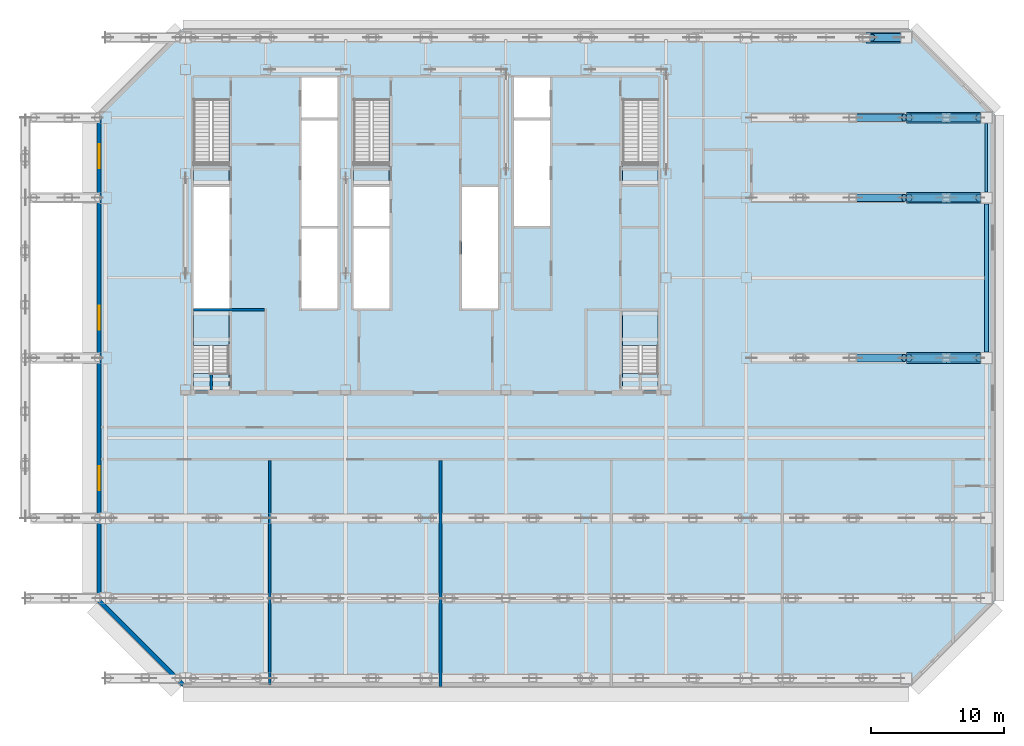
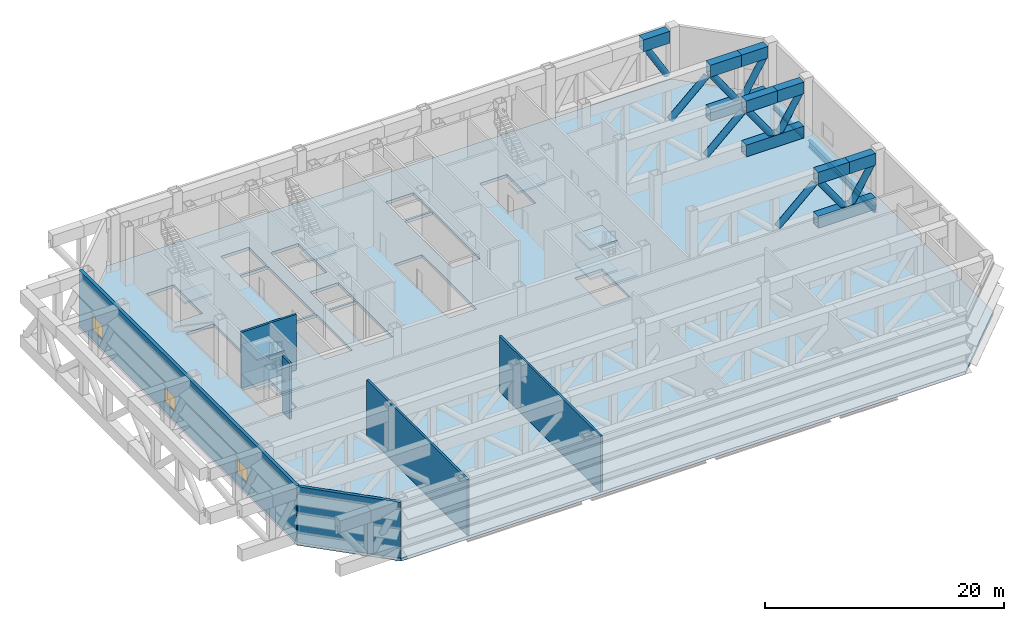
# One storey, part 5 of 17: 12 beams, 10 members, 10 slabs, 6 walls, 3 windows, 3 openings, 5 elements without a shape of their own.
"""IFC4 building model written with IfcOpenShell, lengths in metres."""

from ifc_helpers import new_model, si_unit, direction, frame, frame_2d, origin, origin_2d, place, context, subcontext, project, spatial, polyline, rectangle, hollow_rectangle, hollow_circle, i_section, outline, extrude, material, layer, layer_set, material_profile, profile_set, type_object, element, fill, aggregate, save


model = new_model("IFC4")

# Units and contexts
model_context = context("Model", 3, precision=1e-05, world=origin(), true_north=direction((0.0, 1.0)))
body_context = subcontext(model_context, "Body", "Model", "MODEL_VIEW")
ifc_project = project(units=[si_unit("LENGTHUNIT", "METRE"), si_unit("AREAUNIT", "SQUARE_METRE"), si_unit("VOLUMEUNIT", "CUBIC_METRE"), si_unit("PLANEANGLEUNIT", "RADIAN"), si_unit("MASSUNIT", "GRAM", prefix="KILO")], contexts=[model_context])

# Site, building, storey
site_placement = place(None, origin())
site = spatial("IfcSite", under=ifc_project, at=site_placement, CompositionType="ELEMENT")
building_placement = place(site_placement, origin())
building = spatial("IfcBuilding", under=site, at=building_placement, Name="Sorahane Residences", CompositionType="ELEMENT")
storey_placement = place(building_placement, frame((0.0, 0.0, 90.199951171875)))
storey = spatial("IfcBuildingStorey", under=building, at=storey_placement, Name="L19", CompositionType="ELEMENT", Elevation=90.199951171875)

# Beams
ifc_material_1 = material(Name="Steel Q355B", Category="steel")
ifc_material_profile_1 = material_profile(ifc_material_1, i_section(OverallWidth=0.199951171875, OverallDepth=0.449951171875, WebThickness=0.009033203125, FlangeThickness=0.013916015625, FilletRadius=0.02001953125, at=origin_2d()), Name="HN 450x200x9x14")
ifc_profile_set_1 = profile_set([ifc_material_profile_1], Name="Steel Q355B")
beam_type_1 = type_object("IfcBeamType", Name="Steel floor beam HN 450x200x9x14 Q355B", PredefinedType="BEAM", material=ifc_profile_set_1)
beam_1_placement = place(storey_placement, frame((66.0, 36.449951171875, -0.52490234375), z_axis=(0.0, 1.0, 0.0), x_axis=(-1.0, 0.0, 0.0)))
element("IfcBeam", 1, at=beam_1_placement, inside=storey, type_object=beam_type_1, Name="Beam L19 060", PredefinedType="BEAM", context=body_context, shape_type="SweptSolid", body=[
    extrude(i_section(OverallWidth=0.199951171875, OverallDepth=0.449951171875, WebThickness=0.009033203125, FlangeThickness=0.013916015625, FilletRadius=0.02001953125, at=origin_2d()), origin(), (0.0, 0.0, 1.0), 5.10009765625),
])
ifc_material_2 = material(Name="Steel Q355B", Category="steel")
ifc_material_profile_2 = material_profile(ifc_material_2, i_section(OverallWidth=0.300048828125, OverallDepth=0.699951171875, WebThickness=0.012939453125, FlangeThickness=0.02392578125, FilletRadius=0.028076171875, at=origin_2d()), Name="HN 700x300x13x24")
ifc_profile_set_2 = profile_set([ifc_material_profile_2], Name="Steel Q355B")
beam_type_2 = type_object("IfcBeamType", Name="Steel floor beam HN 700x300x13x24 Q355B", PredefinedType="BEAM", material=ifc_profile_set_2)
beam_2_placement = place(storey_placement, frame((66.0, 24.449951171875, -0.64990234375), z_axis=(0.0, 1.0, 0.0), x_axis=(-1.0, 0.0, 0.0)))
element("IfcBeam", 2, at=beam_2_placement, inside=storey, type_object=beam_type_2, Name="Beam L19 059", PredefinedType="BEAM", context=body_context, shape_type="SweptSolid", body=[
    extrude(i_section(OverallWidth=0.300048828125, OverallDepth=0.699951171875, WebThickness=0.012939453125, FlangeThickness=0.02392578125, FilletRadius=0.028076171875, at=origin_2d()), origin(), (0.0, 0.0, 1.0), 11.10009765625),
])
ifc_material_3 = material(Name="Steel Q420GJ", Category="steel")
ifc_material_profile_3 = material_profile(ifc_material_3, hollow_rectangle(XDim=0.800048828125, YDim=1.199951171875, WallThickness=0.06005859375, at=origin_2d()), Name="BOX 1200x800x60")
ifc_profile_set_3 = profile_set([ifc_material_profile_3], Name="Steel Q420GJ")
beam_type_3 = type_object("IfcBeamType", Name="Truss chord BOX 1200x800x60 Q420GJ", PredefinedType="BEAM", material=ifc_profile_set_3)
beam_3_placement = place(storey_placement, frame((60.0, 24.0, 0.60009765625), z_axis=(1.0, 0.0, 0.0), x_axis=(0.0, 1.0, 0.0)))
element("IfcBeam", 3, at=beam_3_placement, inside=storey, type_object=beam_type_3, Name="Truss chord L19", PredefinedType="BEAM", context=body_context, shape_type="SweptSolid", body=[
    extrude(hollow_rectangle(XDim=0.800048828125, YDim=1.199951171875, WallThickness=0.06005859375, at=origin_2d()), origin(), (0.0, 0.0, 1.0), 5.550048828125),
])
beam_4_placement = place(storey_placement, frame((60.0, 24.0, 5.10009765625), z_axis=(1.0, 0.0, 0.0), x_axis=(0.0, 1.0, 0.0)))
element("IfcBeam", 4, at=beam_4_placement, inside=storey, type_object=beam_type_3, Name="Truss chord L19", PredefinedType="BEAM", context=body_context, shape_type="SweptSolid", body=[
    extrude(hollow_rectangle(XDim=0.800048828125, YDim=1.199951171875, WallThickness=0.06005859375, at=origin_2d()), origin(), (0.0, 0.0, 1.0), 3.0),
])
beam_5_placement = place(storey_placement, frame((63.0, 24.0, 5.10009765625), z_axis=(1.0, 0.0, 0.0), x_axis=(0.0, 1.0, 0.0)))
element("IfcBeam", 5, at=beam_5_placement, inside=storey, type_object=beam_type_3, Name="Truss chord L19", PredefinedType="BEAM", context=body_context, shape_type="SweptSolid", body=[
    extrude(hollow_rectangle(XDim=0.800048828125, YDim=1.199951171875, WallThickness=0.06005859375, at=origin_2d()), origin(), (0.0, 0.0, 1.0), 2.550048828125),
])
beam_6_placement = place(storey_placement, frame((60.0, 36.0, 0.60009765625), z_axis=(1.0, 0.0, 0.0), x_axis=(0.0, 1.0, 0.0)))
element("IfcBeam", 6, at=beam_6_placement, inside=storey, type_object=beam_type_3, Name="Truss chord L19", PredefinedType="BEAM", context=body_context, shape_type="SweptSolid", body=[
    extrude(hollow_rectangle(XDim=0.800048828125, YDim=1.199951171875, WallThickness=0.06005859375, at=origin_2d()), origin(), (0.0, 0.0, 1.0), 5.550048828125),
])
beam_7_placement = place(storey_placement, frame((60.0, 36.0, 5.10009765625), z_axis=(1.0, 0.0, 0.0), x_axis=(0.0, 1.0, 0.0)))
element("IfcBeam", 7, at=beam_7_placement, inside=storey, type_object=beam_type_3, Name="Truss chord L19", PredefinedType="BEAM", context=body_context, shape_type="SweptSolid", body=[
    extrude(hollow_rectangle(XDim=0.800048828125, YDim=1.199951171875, WallThickness=0.06005859375, at=origin_2d()), origin(), (0.0, 0.0, 1.0), 3.0),
])
beam_8_placement = place(storey_placement, frame((63.0, 36.0, 5.10009765625), z_axis=(1.0, 0.0, 0.0), x_axis=(0.0, 1.0, 0.0)))
element("IfcBeam", 8, at=beam_8_placement, inside=storey, type_object=beam_type_3, Name="Truss chord L19", PredefinedType="BEAM", context=body_context, shape_type="SweptSolid", body=[
    extrude(hollow_rectangle(XDim=0.800048828125, YDim=1.199951171875, WallThickness=0.06005859375, at=origin_2d()), origin(), (0.0, 0.0, 1.0), 2.550048828125),
])
beam_9_placement = place(storey_placement, frame((60.0, 42.0, 0.60009765625), z_axis=(1.0, 0.0, 0.0), x_axis=(0.0, 1.0, 0.0)))
element("IfcBeam", 9, at=beam_9_placement, inside=storey, type_object=beam_type_3, Name="Truss chord L19", PredefinedType="BEAM", context=body_context, shape_type="SweptSolid", body=[
    extrude(hollow_rectangle(XDim=0.800048828125, YDim=1.199951171875, WallThickness=0.06005859375, at=origin_2d()), origin(), (0.0, 0.0, 1.0), 5.550048828125),
])
beam_10_placement = place(storey_placement, frame((60.0, 42.0, 5.10009765625), z_axis=(1.0, 0.0, 0.0), x_axis=(0.0, 1.0, 0.0)))
element("IfcBeam", 10, at=beam_10_placement, inside=storey, type_object=beam_type_3, Name="Truss chord L19", PredefinedType="BEAM", context=body_context, shape_type="SweptSolid", body=[
    extrude(hollow_rectangle(XDim=0.800048828125, YDim=1.199951171875, WallThickness=0.06005859375, at=origin_2d()), origin(), (0.0, 0.0, 1.0), 3.0),
])
for number, where, z_axis, x_axis, name in (
    (11, (63.0, 42.0, 5.10009765625), (1.0, 0.0, 0.0), (0.0, 1.0, 0.0), "Truss chord L19"),
    (12, (57.0, 48.0, 5.10009765625), (1.0, 0.0, 0.0), (0.0, 1.0, 0.0), "Truss chord L19"),
):
    element("IfcBeam", number, at=place(storey_placement, frame(where, z_axis=z_axis, x_axis=x_axis)), inside=storey, type_object=beam_type_3, Name=name, PredefinedType="BEAM", context=body_context, shape_type="SweptSolid", body=[
        extrude(hollow_rectangle(XDim=0.800048828125, YDim=1.199951171875, WallThickness=0.06005859375, at=origin_2d()), origin(), (0.0, 0.0, 1.0), 2.550048828125),
    ])

# Members
ifc_material_4 = material(Name="Steel Q420GJ", Category="steel")
ifc_material_profile_4 = material_profile(ifc_material_4, hollow_circle(Radius=0.300048828125, WallThickness=0.031982421875, at=origin_2d()), Name="CHS 600x32")
ifc_profile_set_4 = profile_set([ifc_material_profile_4], Name="Steel Q420GJ")
member_type = type_object("IfcMemberType", Name="Truss diagonal CHS 600x32 Q420GJ", PredefinedType="BRACE", material=ifc_profile_set_4)
member_1_placement = place(storey_placement, frame((56.300048828125, 24.0, 1.23388671875), z_axis=(0.739410635701, 0.0, 0.673254715403), x_axis=(0.0, 1.0, 0.0)))
element("IfcMember", 13, at=member_1_placement, inside=storey, type_object=member_type, Name="Truss diagonal L19", PredefinedType="BRACE", context=body_context, shape_type="SweptSolid", body=[
    extrude(hollow_circle(Radius=0.300048828125, WallThickness=0.031982421875, at=origin_2d()), origin(), (0.0, 0.0, 1.0), 4.80126953125),
])
member_2_placement = place(storey_placement, frame((60.192626953125, 24.0, 4.591796875), z_axis=(0.577579121022, 0.0, -0.816334710128), x_axis=(0.0, 1.0, 0.0)))
element("IfcMember", 14, at=member_2_placement, inside=storey, type_object=member_type, Name="Truss diagonal L19", PredefinedType="BRACE", context=body_context, shape_type="SweptSolid", body=[
    extrude(hollow_circle(Radius=0.300048828125, WallThickness=0.031982421875, at=origin_2d()), origin(), (0.0, 0.0, 1.0), 4.26708984375),
])
member_3_placement = place(storey_placement, frame((63.397705078125, 24.0, 1.115478515625), z_axis=(0.509571647597, 0.0, 0.860428228248), x_axis=(0.0, 1.0, 0.0)))
element("IfcMember", 15, at=member_3_placement, inside=storey, type_object=member_type, Name="Truss diagonal L19", PredefinedType="BRACE", context=body_context, shape_type="SweptSolid", body=[
    extrude(hollow_circle(Radius=0.300048828125, WallThickness=0.031982421875, at=origin_2d()), origin(), (0.0, 0.0, 1.0), 4.03173828125),
])
member_4_placement = place(storey_placement, frame((56.300048828125, 36.0, 1.23388671875), z_axis=(0.739410635701, 0.0, 0.673254715403), x_axis=(0.0, 1.0, 0.0)))
element("IfcMember", 16, at=member_4_placement, inside=storey, type_object=member_type, Name="Truss diagonal L19", PredefinedType="BRACE", context=body_context, shape_type="SweptSolid", body=[
    extrude(hollow_circle(Radius=0.300048828125, WallThickness=0.031982421875, at=origin_2d()), origin(), (0.0, 0.0, 1.0), 4.80126953125),
])
member_5_placement = place(storey_placement, frame((60.192626953125, 36.0, 4.591796875), z_axis=(0.577579121022, 0.0, -0.816334710128), x_axis=(0.0, 1.0, 0.0)))
element("IfcMember", 17, at=member_5_placement, inside=storey, type_object=member_type, Name="Truss diagonal L19", PredefinedType="BRACE", context=body_context, shape_type="SweptSolid", body=[
    extrude(hollow_circle(Radius=0.300048828125, WallThickness=0.031982421875, at=origin_2d()), origin(), (0.0, 0.0, 1.0), 4.26708984375),
])
member_6_placement = place(storey_placement, frame((63.397705078125, 36.0, 1.115478515625), z_axis=(0.509571647597, 0.0, 0.860428228248), x_axis=(0.0, 1.0, 0.0)))
element("IfcMember", 18, at=member_6_placement, inside=storey, type_object=member_type, Name="Truss diagonal L19", PredefinedType="BRACE", context=body_context, shape_type="SweptSolid", body=[
    extrude(hollow_circle(Radius=0.300048828125, WallThickness=0.031982421875, at=origin_2d()), origin(), (0.0, 0.0, 1.0), 4.03173828125),
])
member_7_placement = place(storey_placement, frame((56.300048828125, 42.0, 1.23388671875), z_axis=(0.739410635701, 0.0, 0.673254715403), x_axis=(0.0, 1.0, 0.0)))
element("IfcMember", 19, at=member_7_placement, inside=storey, type_object=member_type, Name="Truss diagonal L19", PredefinedType="BRACE", context=body_context, shape_type="SweptSolid", body=[
    extrude(hollow_circle(Radius=0.300048828125, WallThickness=0.031982421875, at=origin_2d()), origin(), (0.0, 0.0, 1.0), 4.80126953125),
])
member_8_placement = place(storey_placement, frame((60.192626953125, 42.0, 4.591796875), z_axis=(0.577579121022, 0.0, -0.816334710128), x_axis=(0.0, 1.0, 0.0)))
element("IfcMember", 20, at=member_8_placement, inside=storey, type_object=member_type, Name="Truss diagonal L19", PredefinedType="BRACE", context=body_context, shape_type="SweptSolid", body=[
    extrude(hollow_circle(Radius=0.300048828125, WallThickness=0.031982421875, at=origin_2d()), origin(), (0.0, 0.0, 1.0), 4.26708984375),
])
for number, where, z_axis, x_axis, name in (
    (21, (63.397705078125, 42.0, 1.115478515625), (0.509571647597, 0.0, 0.860428228248), (0.0, 1.0, 0.0), "Truss diagonal L19"),
    (22, (57.397705078125, 48.0, 4.58447265625), (0.509571647597, 0.0, -0.860428228248), (0.0, 1.0, 0.0), "Truss diagonal L19"),
):
    element("IfcMember", number, at=place(storey_placement, frame(where, z_axis=z_axis, x_axis=x_axis)), inside=storey, type_object=member_type, Name=name, PredefinedType="BRACE", context=body_context, shape_type="SweptSolid", body=[
        extrude(hollow_circle(Radius=0.300048828125, WallThickness=0.031982421875, at=origin_2d()), origin(), (0.0, 0.0, 1.0), 4.03173828125),
    ])

# Slab
ifc_material_5 = material(Name="Concrete C35", Category="concrete")
ifc_layer_1 = layer(ifc_material_5, 0.300048828125)
ifc_layer_set_1 = layer_set([ifc_layer_1], Name="Composite floor slab 300 mm Concrete C35")
slab_type_1 = type_object("IfcSlabType", Name="Composite floor slab 300 mm Concrete C35", PredefinedType="FLOOR", material=ifc_layer_set_1)
slab_1_placement = place(storey_placement, frame((0.0, 0.0, -0.300048828125)))
element("IfcSlab", 23, at=slab_1_placement, inside=storey, type_object=slab_type_1, Name="Slab L19", PredefinedType="FLOOR", context=body_context, shape_type="SweptSolid", body=[
    extrude(outline(polyline([(5.75146484375, -0.60009765625), (-0.60009765625, 5.75146484375), (-0.60009765625, 42.24853515625), (5.75146484375, 48.60009765625), (60.24853515625, 48.60009765625), (66.60009765625, 42.24853515625), (66.60009765625, 5.75146484375), (60.24853515625, -0.60009765625), (5.75146484375, -0.60009765625)]), holes=[polyline([(18.60009765625, 27.699951171875), (21.300048828125, 27.699951171875), (21.300048828125, 33.699951171875), (18.60009765625, 33.699951171875), (18.60009765625, 27.699951171875)]), polyline([(30.60009765625, 42.0), (33.300048828125, 42.0), (33.300048828125, 45.0), (30.60009765625, 45.0), (30.60009765625, 42.0)]), polyline([(14.699951171875, 27.699951171875), (17.39990234375, 27.699951171875), (17.39990234375, 33.699951171875), (14.699951171875, 33.699951171875), (14.699951171875, 27.699951171875)]), polyline([(14.699951171875, 42.0), (17.39990234375, 42.0), (17.39990234375, 45.0), (14.699951171875, 45.0), (14.699951171875, 42.0)]), polyline([(6.60009765625, 27.699951171875), (9.300048828125, 27.699951171875), (9.300048828125, 36.800048828125), (6.60009765625, 36.800048828125), (6.60009765625, 27.699951171875)]), polyline([(9.25, 38.60009765625), (6.60009765625, 38.60009765625), (6.60009765625, 43.39990234375), (9.25, 43.39990234375), (9.25, 38.60009765625)]), polyline([(41.39990234375, 38.60009765625), (38.75, 38.60009765625), (38.75, 43.39990234375), (41.39990234375, 43.39990234375), (41.39990234375, 38.60009765625)]), polyline([(21.25, 38.60009765625), (18.60009765625, 38.60009765625), (18.60009765625, 43.39990234375), (21.25, 43.39990234375), (21.25, 38.60009765625)]), polyline([(6.60009765625, 27.5), (9.25, 27.5), (9.25, 22.85009765625), (6.60009765625, 22.85009765625), (6.60009765625, 27.5)]), polyline([(38.75, 27.5), (41.39990234375, 27.5), (41.39990234375, 22.85009765625), (38.75, 22.85009765625), (38.75, 27.5)]), polyline([(14.699951171875, 33.89990234375), (17.39990234375, 33.89990234375), (17.39990234375, 41.800048828125), (14.699951171875, 41.800048828125), (14.699951171875, 33.89990234375)]), polyline([(30.60009765625, 33.89990234375), (33.300048828125, 33.89990234375), (33.300048828125, 41.800048828125), (30.60009765625, 41.800048828125), (30.60009765625, 33.89990234375)]), polyline([(18.60009765625, 33.89990234375), (21.300048828125, 33.89990234375), (21.300048828125, 36.800048828125), (18.60009765625, 36.800048828125), (18.60009765625, 33.89990234375)]), polyline([(26.699951171875, 27.699951171875), (29.39990234375, 27.699951171875), (29.39990234375, 36.800048828125), (26.699951171875, 36.800048828125), (26.699951171875, 27.699951171875)])]), origin(), (0.0, 0.0, 1.0), 0.300048828125),
])

# Stair, slab
ifc_material_6 = material(Name="Concrete C40", Category="concrete")
stair_type = type_object("IfcStairType", Name="Dog-leg stair 1250 Concrete C40", PredefinedType="HALF_TURN_STAIR", material=ifc_material_6)
stair_1_placement = place(storey_placement, origin())
stair_1 = element("IfcStair", 24, at=stair_1_placement, inside=storey, type_object=stair_type, Name="L19 Stair S1", PredefinedType="HALF_TURN_STAIR")
ifc_material_7 = material(Name="Concrete C40", Category="concrete")
ifc_layer_2 = layer(ifc_material_7, 0.199951171875)
ifc_layer_set_2 = layer_set([ifc_layer_2], Name="Stair landing 200 Concrete C40")
slab_type_2 = type_object("IfcSlabType", Name="Stair landing 200 Concrete C40", PredefinedType="LANDING", material=ifc_layer_set_2)
slab_2_placement = place(storey_placement, frame((0.0, 0.0, 2.800048828125)))
slab_2 = element("IfcSlab", 25, at=slab_2_placement, type_object=slab_type_2, Name="S1 landing 1", PredefinedType="LANDING", context=body_context, shape_type="SweptSolid", body=[
    extrude(outline(polyline([(6.60009765625, 38.639892578125), (6.60009765625, 37.0), (9.25, 37.0), (9.25, 38.639892578125), (6.60009765625, 38.639892578125)])), origin(), (0.0, 0.0, 1.0), 0.199951171875),
])
aggregate(stair_1, [slab_2])

stair_2_placement = place(storey_placement, origin())
stair_2 = element("IfcStair", 26, at=stair_2_placement, inside=storey, type_object=stair_type, Name="L19 Stair S2", PredefinedType="HALF_TURN_STAIR")
slab_3_placement = place(storey_placement, frame((0.0, 0.0, 2.800048828125)))
slab_3 = element("IfcSlab", 27, at=slab_3_placement, type_object=slab_type_2, Name="S2 landing 1", PredefinedType="LANDING", context=body_context, shape_type="SweptSolid", body=[
    extrude(outline(polyline([(38.75, 38.639892578125), (38.75, 37.0), (41.39990234375, 37.0), (41.39990234375, 38.639892578125), (38.75, 38.639892578125)])), origin(), (0.0, 0.0, 1.0), 0.199951171875),
])
aggregate(stair_2, [slab_3])

stair_3_placement = place(storey_placement, origin())
stair_3 = element("IfcStair", 28, at=stair_3_placement, inside=storey, type_object=stair_type, Name="L19 Stair S3", PredefinedType="HALF_TURN_STAIR")
slab_4_placement = place(storey_placement, frame((0.0, 0.0, 2.800048828125)))
slab_4 = element("IfcSlab", 29, at=slab_4_placement, type_object=slab_type_2, Name="S3 landing 1", PredefinedType="LANDING", context=body_context, shape_type="SweptSolid", body=[
    extrude(outline(polyline([(18.60009765625, 38.639892578125), (18.60009765625, 37.0), (21.25, 37.0), (21.25, 38.639892578125), (18.60009765625, 38.639892578125)])), origin(), (0.0, 0.0, 1.0), 0.199951171875),
])
aggregate(stair_3, [slab_4])

# Stair, slabs
stair_4_placement = place(storey_placement, origin())
stair_4 = element("IfcStair", 30, at=stair_4_placement, inside=storey, type_object=stair_type, Name="L19 Stair S4", PredefinedType="HALF_TURN_STAIR")
slab_5_placement = place(storey_placement, frame((0.0, 0.0, 1.300048828125)))
slab_5 = element("IfcSlab", 31, at=slab_5_placement, type_object=slab_type_2, Name="S4 landing 1", PredefinedType="LANDING", context=body_context, shape_type="SweptSolid", body=[
    extrude(outline(polyline([(9.25, 24.929931640625), (9.25, 27.5), (6.60009765625, 27.5), (6.60009765625, 24.929931640625), (9.25, 24.929931640625)])), origin(), (0.0, 0.0, 1.0), 0.199951171875),
])
slab_6_placement = place(storey_placement, frame((0.0, 0.0, 2.800048828125)))
slab_6 = element("IfcSlab", 32, at=slab_6_placement, type_object=slab_type_2, Name="S4 landing 2", PredefinedType="LANDING", context=body_context, shape_type="SweptSolid", body=[
    extrude(outline(polyline([(9.25, 21.60009765625), (9.25, 22.85009765625), (6.60009765625, 22.85009765625), (6.60009765625, 21.60009765625), (9.25, 21.60009765625)])), origin(), (0.0, 0.0, 1.0), 0.199951171875),
])
slab_7_placement = place(storey_placement, frame((0.0, 0.0, 4.300048828125)))
slab_7 = element("IfcSlab", 33, at=slab_7_placement, type_object=slab_type_2, Name="S4 landing 3", PredefinedType="LANDING", context=body_context, shape_type="SweptSolid", body=[
    extrude(outline(polyline([(9.25, 24.929931640625), (9.25, 27.5), (6.60009765625, 27.5), (6.60009765625, 24.929931640625), (9.25, 24.929931640625)])), origin(), (0.0, 0.0, 1.0), 0.199951171875),
])
aggregate(stair_4, [slab_5, slab_6, slab_7])

stair_5_placement = place(storey_placement, origin())
stair_5 = element("IfcStair", 34, at=stair_5_placement, inside=storey, type_object=stair_type, Name="L19 Stair S5", PredefinedType="HALF_TURN_STAIR")
slab_8_placement = place(storey_placement, frame((0.0, 0.0, 1.300048828125)))
slab_8 = element("IfcSlab", 35, at=slab_8_placement, type_object=slab_type_2, Name="S5 landing 1", PredefinedType="LANDING", context=body_context, shape_type="SweptSolid", body=[
    extrude(outline(polyline([(41.39990234375, 24.929931640625), (41.39990234375, 27.5), (38.75, 27.5), (38.75, 24.929931640625), (41.39990234375, 24.929931640625)])), origin(), (0.0, 0.0, 1.0), 0.199951171875),
])
slab_9_placement = place(storey_placement, frame((0.0, 0.0, 2.800048828125)))
slab_9 = element("IfcSlab", 36, at=slab_9_placement, type_object=slab_type_2, Name="S5 landing 2", PredefinedType="LANDING", context=body_context, shape_type="SweptSolid", body=[
    extrude(outline(polyline([(41.39990234375, 21.60009765625), (41.39990234375, 22.85009765625), (38.75, 22.85009765625), (38.75, 21.60009765625), (41.39990234375, 21.60009765625)])), origin(), (0.0, 0.0, 1.0), 0.199951171875),
])
slab_10_placement = place(storey_placement, frame((0.0, 0.0, 4.300048828125)))
slab_10 = element("IfcSlab", 37, at=slab_10_placement, type_object=slab_type_2, Name="S5 landing 3", PredefinedType="LANDING", context=body_context, shape_type="SweptSolid", body=[
    extrude(outline(polyline([(41.39990234375, 24.929931640625), (41.39990234375, 27.5), (38.75, 27.5), (38.75, 24.929931640625), (41.39990234375, 24.929931640625)])), origin(), (0.0, 0.0, 1.0), 0.199951171875),
])
aggregate(stair_5, [slab_8, slab_9, slab_10])

# Wall, openings, windows
ifc_material_8 = material(Name="Graphite insulated metal-clad wall")
ifc_layer_3 = layer(ifc_material_8, 0.300048828125)
ifc_layer_set_3 = layer_set([ifc_layer_3], Name="External wall insulated metal-clad 300")
wall_type_1 = type_object("IfcWallType", Name="External wall insulated metal-clad 300", PredefinedType="SOLIDWALL", material=ifc_layer_set_3)
wall_1_placement = place(storey_placement, frame((-0.469970703125, 42.194580078125, 0.0), z_axis=(0.0, 0.0, 1.0), x_axis=(0.0, -1.0, 0.0)))
wall_1 = element("IfcWall", 38, at=wall_1_placement, inside=storey, type_object=wall_type_1, Name="External plant wall L19 W1", PredefinedType="SOLIDWALL", context=body_context, shape_type="SweptSolid", body=[
    extrude(rectangle(XDim=36.38916015625, YDim=0.300048828125, at=frame_2d((18.194580078125, 0.0))), origin(), (0.0, 0.0, 1.0), 5.699951171875),
])
opening_1_placement = place(wall_1_placement, frame((2.17041015625, 0.0, 0.89990234375)))
opening_1 = element("IfcOpeningElement", 39, at=opening_1_placement, cuts=wall_1, Name="Opening W-R1", PredefinedType="OPENING", context=body_context, shape_type="SweptSolid", body=[
    extrude(rectangle(XDim=1.800048828125, YDim=1.5, at=frame_2d((0.89990234375, 0.75))), frame((0.0, 0.159912109375, 0.0), z_axis=(0.0, -1.0, 0.0), x_axis=(1.0, 0.0, 0.0)), (0.0, 0.0, 1.0), 0.320068359375),
])
opening_2_placement = place(wall_1_placement, frame((14.294677734375, 0.0, 0.89990234375)))
opening_2 = element("IfcOpeningElement", 40, at=opening_2_placement, cuts=wall_1, Name="Opening W-R1", PredefinedType="OPENING", context=body_context, shape_type="SweptSolid", body=[
    extrude(rectangle(XDim=1.800048828125, YDim=1.5, at=frame_2d((0.89990234375, 0.75))), frame((0.0, 0.159912109375, 0.0), z_axis=(0.0, -1.0, 0.0), x_axis=(1.0, 0.0, 0.0)), (0.0, 0.0, 1.0), 0.320068359375),
])
opening_3_placement = place(wall_1_placement, frame((26.294677734375, 0.0, 0.89990234375)))
opening_3 = element("IfcOpeningElement", 41, at=opening_3_placement, cuts=wall_1, Name="Opening W-R1", PredefinedType="OPENING", context=body_context, shape_type="SweptSolid", body=[
    extrude(rectangle(XDim=1.800048828125, YDim=1.5, at=frame_2d((0.89990234375, 0.75))), frame((0.0, 0.159912109375, 0.0), z_axis=(0.0, -1.0, 0.0), x_axis=(1.0, 0.0, 0.0)), (0.0, 0.0, 1.0), 0.320068359375),
])
ifc_material_9 = material(Name="Dark aluminium and glass", Category="aluminium")
window_type = type_object("IfcWindowType", Name="Openable Class B fire window dark aluminium 1800x1500", PartitioningType="SINGLE_PANEL", PredefinedType="WINDOW", material=ifc_material_9)
window_1_placement = place(opening_1_placement, origin())
window_1 = element("IfcWindow", 42, at=window_1_placement, inside=storey, type_object=window_type, Name="Openable fire window L19 W1.1", OverallHeight=1.5, OverallWidth=1.800048828125, PartitioningType="SINGLE_PANEL", PredefinedType="WINDOW", context=body_context, shape_type="SweptSolid", body=[
    extrude(rectangle(XDim=1.800048828125, YDim=1.5, at=frame_2d((0.89990234375, 0.75))), frame((0.0, 0.030029296875, 0.0), z_axis=(0.0, -1.0, 0.0), x_axis=(1.0, 0.0, 0.0)), (0.0, 0.0, 1.0), 0.06005859375),
])
fill(opening_1, window_1)
window_2_placement = place(opening_2_placement, origin())
window_2 = element("IfcWindow", 43, at=window_2_placement, inside=storey, type_object=window_type, Name="Openable fire window L19 W1.3", OverallHeight=1.5, OverallWidth=1.800048828125, PartitioningType="SINGLE_PANEL", PredefinedType="WINDOW", context=body_context, shape_type="SweptSolid", body=[
    extrude(rectangle(XDim=1.800048828125, YDim=1.5, at=frame_2d((0.89990234375, 0.75))), frame((0.0, 0.030029296875, 0.0), z_axis=(0.0, -1.0, 0.0), x_axis=(1.0, 0.0, 0.0)), (0.0, 0.0, 1.0), 0.06005859375),
])
fill(opening_2, window_2)
window_3_placement = place(opening_3_placement, origin())
window_3 = element("IfcWindow", 44, at=window_3_placement, inside=storey, type_object=window_type, Name="Openable fire window L19 W1.5", OverallHeight=1.5, OverallWidth=1.800048828125, PartitioningType="SINGLE_PANEL", PredefinedType="WINDOW", context=body_context, shape_type="SweptSolid", body=[
    extrude(rectangle(XDim=1.800048828125, YDim=1.5, at=frame_2d((0.89990234375, 0.75))), frame((0.0, 0.030029296875, 0.0), z_axis=(0.0, -1.0, 0.0), x_axis=(1.0, 0.0, 0.0)), (0.0, 0.0, 1.0), 0.06005859375),
])
fill(opening_3, window_3)

# Walls
wall_2_placement = place(storey_placement, frame((-0.469970703125, 5.805419921875, 0.0), z_axis=(0.0, 0.0, 1.0), x_axis=(0.707106781187, -0.707106781187, 0.0)))
element("IfcWall", 45, at=wall_2_placement, inside=storey, type_object=wall_type_1, Name="External plant wall L19 SW1", PredefinedType="SOLIDWALL", context=body_context, shape_type="SweptSolid", body=[
    extrude(rectangle(XDim=8.874755859375, YDim=0.300048828125, at=frame_2d((4.4375, 0.0))), origin(), (0.0, 0.0, 1.0), 5.699951171875),
])
ifc_material_10 = material(Name="Concrete blockwork C20 wall", Category="masonry")
ifc_layer_4 = layer(ifc_material_10, 0.199951171875)
ifc_layer_set_4 = layer_set([ifc_layer_4], Name="Fire wall 200 EI 120")
wall_type_2 = type_object("IfcWallType", Name="Fire wall 200 EI 120", PredefinedType="SOLIDWALL", material=ifc_layer_set_4)
wall_3_placement = place(storey_placement, frame((12.300048828125, -0.5, 0.0), z_axis=(0.0, 0.0, 1.0), x_axis=(0.0, 1.0, 0.0)))
element("IfcWall", 46, at=wall_3_placement, inside=storey, type_object=wall_type_2, Name="L19 fire wall", PredefinedType="SOLIDWALL", context=body_context, shape_type="SweptSolid", body=[
    extrude(rectangle(XDim=16.800048828125, YDim=0.199951171875, at=frame_2d((8.39990234375, 0.0))), origin(), (0.0, 0.0, 1.0), 5.699951171875),
])
ifc_material_11 = material(Name="Concrete blockwork C20 wall", Category="masonry")
ifc_layer_5 = layer(ifc_material_11, 0.199951171875)
ifc_layer_set_5 = layer_set([ifc_layer_5], Name="Plant wall 200 EI 120")
wall_type_3 = type_object("IfcWallType", Name="Plant wall 200 EI 120", PredefinedType="SOLIDWALL", material=ifc_layer_set_5)
wall_4_placement = place(storey_placement, frame((25.10009765625, -0.60009765625, 0.0), z_axis=(0.0, 0.0, 1.0), x_axis=(0.0, 1.0, 0.0)))
element("IfcWall", 47, at=wall_4_placement, inside=storey, type_object=wall_type_3, Name="L19 plant wall", PredefinedType="SOLIDWALL", context=body_context, shape_type="SweptSolid", body=[
    extrude(rectangle(XDim=16.900146484375, YDim=0.199951171875, at=frame_2d((8.4501953125, 0.0))), origin(), (0.0, 0.0, 1.0), 5.699951171875),
])
ifc_material_12 = material(Name="Concrete C30", Category="concrete")
ifc_layer_6 = layer(ifc_material_12, 0.199951171875)
ifc_layer_set_6 = layer_set([ifc_layer_6], Name="Stair enclosure wall 200 EI 120")
wall_type_4 = type_object("IfcWallType", Name="Stair enclosure wall 200 EI 120", PredefinedType="SOLIDWALL", material=ifc_layer_set_6)
wall_5_placement = place(storey_placement, frame((7.925048828125, 21.60009765625, 0.0), z_axis=(0.0, 0.0, 1.0), x_axis=(0.0, 1.0, 0.0)))
element("IfcWall", 48, at=wall_5_placement, inside=storey, type_object=wall_type_4, Name="L19 stair enclosure wall", PredefinedType="SOLIDWALL", context=body_context, shape_type="SweptSolid", body=[
    extrude(rectangle(XDim=1.25, YDim=0.199951171875, at=frame_2d((0.625, 0.0))), origin(), (0.0, 0.0, 1.0), 5.699951171875),
])
wall_6_placement = place(storey_placement, frame((6.60009765625, 27.60009765625, 0.0), z_axis=(0.0, 0.0, 1.0), x_axis=(1.0, 0.0, 0.0)))
element("IfcWall", 49, at=wall_6_placement, inside=storey, type_object=wall_type_4, Name="L19 stair enclosure wall", PredefinedType="SOLIDWALL", context=body_context, shape_type="SweptSolid", body=[
    extrude(rectangle(XDim=5.2998046875, YDim=0.199951171875, at=frame_2d((2.64990234375, 0.0))), origin(), (0.0, 0.0, 1.0), 5.699951171875),
])

save(model, "model.ifc")
